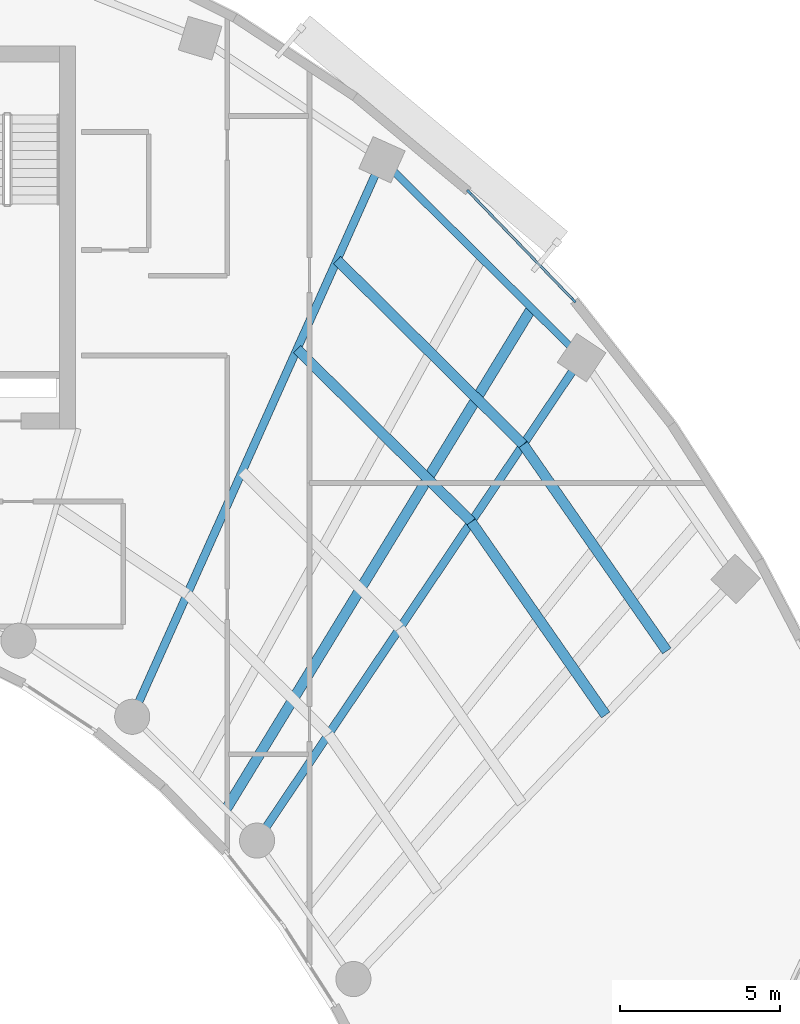
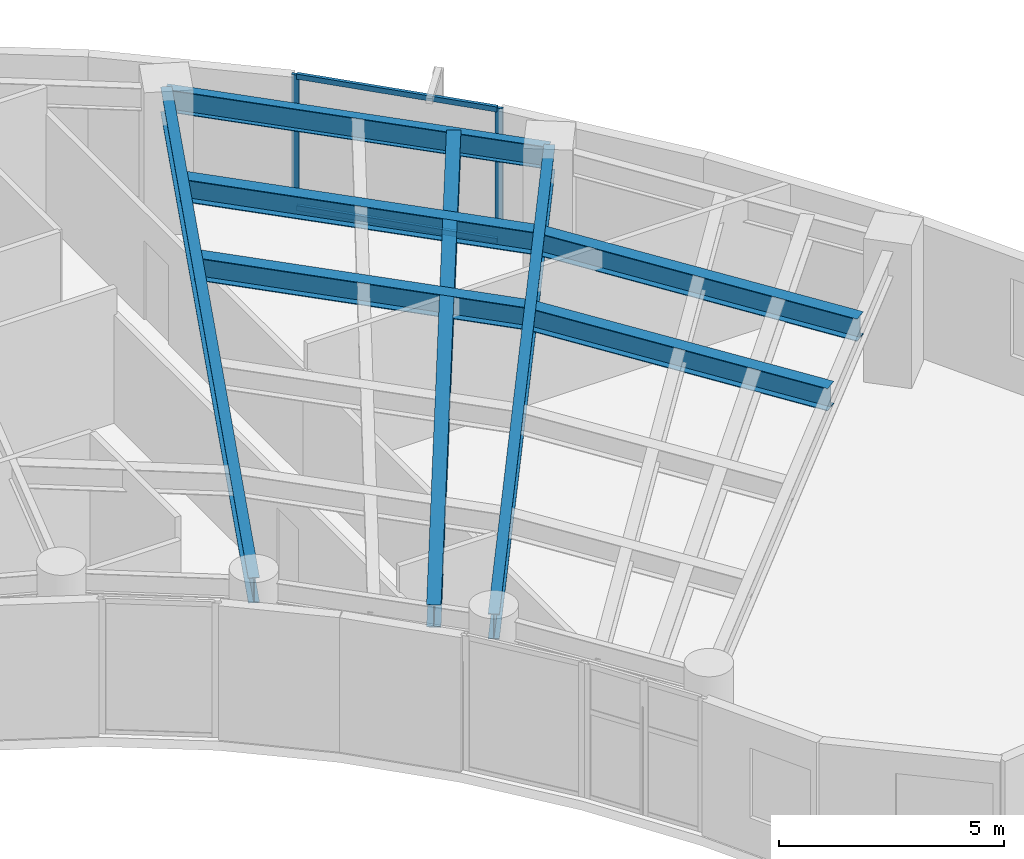
# One storey, part 4 of 13: 8 beams, 4 members, 1 element without a shape of its own.
"""IFC4 building model written with IfcOpenShell, lengths in metres."""

from ifc_helpers import new_model, si_unit, direction, frame, origin, origin_2d, place, context, subcontext, project, spatial, rectangle, i_section, extrude, source, transform, mapped, material, layer, layer_set, material_profile, profile_set, type_object, element, aggregate, save


model = new_model("IFC4")

# Units and contexts
model_context = context("Model", 3, precision=1e-05, world=origin(), true_north=direction((0.0, 1.0)))
body_context = subcontext(model_context, "Body", "Model", "MODEL_VIEW")
ifc_project = project(units=[si_unit("LENGTHUNIT", "METRE"), si_unit("AREAUNIT", "SQUARE_METRE"), si_unit("VOLUMEUNIT", "CUBIC_METRE"), si_unit("PLANEANGLEUNIT", "RADIAN"), si_unit("MASSUNIT", "GRAM", prefix="KILO")], contexts=[model_context])

# Site, building, storey
site_placement = place(None, origin())
site = spatial("IfcSite", under=ifc_project, at=site_placement, CompositionType="ELEMENT")
building_placement = place(site_placement, origin())
building = spatial("IfcBuilding", under=site, at=building_placement, Name="Breltana Convention Tower", CompositionType="ELEMENT")
storey_placement = place(building_placement, frame((0.0, 0.0, 146.699951171875)))
storey = spatial("IfcBuildingStorey", under=building, at=storey_placement, Name="L35", CompositionType="ELEMENT", Elevation=146.699951171875)

# Beams
ifc_material_1 = material(Name="Steel ASTM A992 Grade 50", Category="steel")
ifc_material_profile_1 = material_profile(ifc_material_1, i_section(OverallWidth=0.25390625, OverallDepth=0.68798828125, WebThickness=0.01318359375, FlangeThickness=0.02099609375, at=origin_2d()), Name="W27X102")
ifc_profile_set_1 = profile_set([ifc_material_profile_1], Name="Steel ASTM A992 Grade 50")
beam_type_1 = type_object("IfcBeamType", Name="BM-RG-W27X102", PredefinedType="USERDEFINED", material=ifc_profile_set_1)
shared_shape_1 = source(origin(), body_context, "Body", "SweptSolid", [
    extrude(i_section(OverallWidth=0.25390625, OverallDepth=0.68798828125, WebThickness=0.01318359375, FlangeThickness=0.02099609375, at=origin_2d()), origin(), (0.0, 0.0, 1.0), 19.133544921875),
])
beam_1_placement = place(storey_placement, frame((61.08203125, 51.174560546875, 3.30615234375), z_axis=(0.409144564164, 0.912469575172, 0.0), x_axis=(-0.912469575172, 0.409144564164, 0.0)))
element("IfcBeam", 1, at=beam_1_placement, inside=storey, type_object=beam_type_1, Name="L35 Radial Floor Girder R09", ObjectType="GIRDER", PredefinedType="USERDEFINED", context=body_context, shape_type="MappedRepresentation", body=[
    mapped(shared_shape_1, transform((0.0, 0.0, 0.0), scale=1.0)),
])
shared_shape_2 = source(origin(), body_context, "Body", "SweptSolid", [
    extrude(i_section(OverallWidth=0.25390625, OverallDepth=0.68798828125, WebThickness=0.01318359375, FlangeThickness=0.02099609375, at=origin_2d()), origin(), (0.0, 0.0, 1.0), 18.236328125),
])
beam_2_placement = place(storey_placement, frame((64.995849609375, 47.293701171875, 3.30615234375), z_axis=(0.557730360975, 0.830022195153, 0.0), x_axis=(-0.830022195153, 0.557730360975, 0.0)))
element("IfcBeam", 2, at=beam_2_placement, inside=storey, type_object=beam_type_1, Name="L35 Radial Floor Girder R10", ObjectType="GIRDER", PredefinedType="USERDEFINED", context=body_context, shape_type="MappedRepresentation", body=[
    mapped(shared_shape_2, transform((0.0, 0.0, 0.0), scale=1.0)),
])
ifc_material_profile_2 = material_profile(ifc_material_1, i_section(OverallWidth=0.22802734375, OverallDepth=0.60791015625, WebThickness=0.01123046875, FlangeThickness=0.017333984375, at=origin_2d()), Name="W24X76")
ifc_profile_set_2 = profile_set([ifc_material_profile_2], Name="Steel ASTM A992 Grade 50")
beam_type_2 = type_object("IfcBeamType", Name="BM-SP-W24X76", PredefinedType="SPANDREL", material=ifc_profile_set_2)
shared_shape_3 = source(origin(), body_context, "Body", "SweptSolid", [
    extrude(i_section(OverallWidth=0.22802734375, OverallDepth=0.60791015625, WebThickness=0.01123046875, FlangeThickness=0.017333984375, at=origin_2d()), origin(), (0.0, 0.0, 1.0), 8.810302734375),
])
beam_3_placement = place(storey_placement, frame((68.910400390625, 68.63330078125, 3.345947265625), z_axis=(0.710120823582, -0.704079836322, 0.0), x_axis=(0.704079836322, 0.710120823582, 0.0)))
element("IfcBeam", 3, at=beam_3_placement, inside=storey, type_object=beam_type_2, Name="L35 Outer Spandrel Beam 09", PredefinedType="SPANDREL", context=body_context, shape_type="MappedRepresentation", body=[
    mapped(shared_shape_3, transform((0.0, 0.0, 0.0), scale=1.0)),
])
ifc_material_profile_3 = material_profile(ifc_material_1, i_section(OverallWidth=0.323974609375, OverallDepth=0.611083984375, WebThickness=0.0126953125, FlangeThickness=0.01904296875, at=origin_2d()), Name="W24X104")
ifc_profile_set_3 = profile_set([ifc_material_profile_3], Name="Steel ASTM A992 Grade 50")
beam_type_3 = type_object("IfcBeamType", Name="BM-JSG-01", PredefinedType="JOIST", material=ifc_profile_set_3)
shared_shape_4 = source(origin(), body_context, "Body", "SweptSolid", [
    extrude(i_section(OverallWidth=0.323974609375, OverallDepth=0.611083984375, WebThickness=0.0126953125, FlangeThickness=0.01904296875, at=origin_2d()), origin(), (0.0, 0.0, 1.0), 7.688720703125),
])
beam_4_placement = place(storey_placement, frame((66.248779296875, 62.697265625, 3.344482421875), z_axis=(0.710101109809, -0.704099718682, 0.0), x_axis=(0.704099718682, 0.710101109809, 0.0)))
element("IfcBeam", 4, at=beam_4_placement, inside=storey, type_object=beam_type_3, Name="L35 Composite Floor Joist 09.3", PredefinedType="JOIST", context=body_context, shape_type="MappedRepresentation", body=[
    mapped(shared_shape_4, transform((0.0, 0.0, 0.0), scale=1.0)),
])
shared_shape_5 = source(origin(), body_context, "Body", "SweptSolid", [
    extrude(i_section(OverallWidth=0.323974609375, OverallDepth=0.611083984375, WebThickness=0.0126953125, FlangeThickness=0.01904296875, at=origin_2d()), origin(), (0.0, 0.0, 1.0), 8.21630859375),
])
beam_5_placement = place(storey_placement, frame((67.50146484375, 65.49072265625, 3.344482421875), z_axis=(0.710101511063, -0.704099314008, 0.0), x_axis=(0.704099314008, 0.710101511063, 0.0)))
element("IfcBeam", 5, at=beam_5_placement, inside=storey, type_object=beam_type_3, Name="L35 Composite Floor Joist 09.4", PredefinedType="JOIST", context=body_context, shape_type="MappedRepresentation", body=[
    mapped(shared_shape_5, transform((0.0, 0.0, 0.0), scale=1.0)),
])
shared_shape_6 = source(origin(), body_context, "Body", "SweptSolid", [
    extrude(i_section(OverallWidth=0.323974609375, OverallDepth=0.611083984375, WebThickness=0.0126953125, FlangeThickness=0.01904296875, at=origin_2d()), origin(), (0.0, 0.0, 1.0), 18.409423828125),
])
beam_6_placement = place(storey_placement, frame((64.017333984375, 48.263916015625, 3.344482421875), z_axis=(0.520682167606, 0.853750596098, 0.0), x_axis=(-0.853750596098, 0.520682167606, 0.0)))
element("IfcBeam", 6, at=beam_6_placement, inside=storey, type_object=beam_type_3, Name="L35 Quarter-Bay Radial Trimmer 09", PredefinedType="JOIST", context=body_context, shape_type="MappedRepresentation", body=[
    mapped(shared_shape_6, transform((0.0, 0.0, 0.0), scale=1.0)),
])
shared_shape_7 = source(origin(), body_context, "Body", "SweptSolid", [
    extrude(i_section(OverallWidth=0.323974609375, OverallDepth=0.611083984375, WebThickness=0.0126953125, FlangeThickness=0.01904296875, at=origin_2d()), origin(), (0.0, 0.0, 1.0), 7.374267578125),
])
beam_7_placement = place(storey_placement, frame((71.70849609375, 57.28369140625, 3.344482421875), z_axis=(0.571229379406, -0.820790470281, 0.0), x_axis=(0.820790470281, 0.571229379406, 0.0)))
element("IfcBeam", 7, at=beam_7_placement, inside=storey, type_object=beam_type_3, Name="L35 Composite Floor Joist 10.3", PredefinedType="JOIST", context=body_context, shape_type="MappedRepresentation", body=[
    mapped(shared_shape_7, transform((0.0, 0.0, 0.0), scale=1.0)),
])
shared_shape_8 = source(origin(), body_context, "Body", "SweptSolid", [
    extrude(i_section(OverallWidth=0.323974609375, OverallDepth=0.611083984375, WebThickness=0.0126953125, FlangeThickness=0.01904296875, at=origin_2d()), origin(), (0.0, 0.0, 1.0), 7.88037109375),
])
beam_8_placement = place(storey_placement, frame((73.3359375, 59.70556640625, 3.344482421875), z_axis=(0.571197916304, -0.820812366141, 0.0), x_axis=(0.820812366141, 0.571197916304, 0.0)))
element("IfcBeam", 8, at=beam_8_placement, inside=storey, type_object=beam_type_3, Name="L35 Composite Floor Joist 10.4", PredefinedType="JOIST", context=body_context, shape_type="MappedRepresentation", body=[
    mapped(shared_shape_8, transform((0.0, 0.0, 0.0), scale=1.0)),
])

# Curtain wall, members
ifc_material_2 = material(Name="Aluminium Anodised Bronze Frame", Category="aluminium")
ifc_layer = layer(ifc_material_2, 0.2099609375, Name="Aluminium Anodised Bronze Frame")
ifc_layer_set = layer_set([ifc_layer], Name="Aluminium Anodised Bronze Frame")
curtain_wall_type = type_object("IfcCurtainWallType", Name="CW-SYS-3", PredefinedType="NOTDEFINED", material=ifc_layer_set)
curtain_wall_placement = place(storey_placement, origin())
curtain_wall = element("IfcCurtainWall", 9, at=curtain_wall_placement, inside=storey, type_object=curtain_wall_type, Name="L35 outer double-skin inner glazing 4", PredefinedType="NOTDEFINED")
ifc_material_3 = material(Name="Aluminium Anodised Bronze", Category="aluminium")
ifc_material_profile_4 = material_profile(ifc_material_3, rectangle(XDim=0.070068359375, YDim=0.175048828125, at=origin_2d()), Name="CWM-70X175")
ifc_profile_set_4 = profile_set([ifc_material_profile_4], Name="Aluminium Anodised Bronze")
member_type_1 = type_object("IfcMemberType", Name="CWM-175", PredefinedType="MULLION", material=ifc_profile_set_4)
shared_shape_9 = source(origin(), body_context, "Body", "SweptSolid", [
    extrude(rectangle(XDim=0.070068359375, YDim=0.175048828125, at=origin_2d()), origin(), (0.0, 0.0, 1.0), 3.650146484375),
])
member_1_placement = place(storey_placement, frame((71.643310546875, 67.616943359375, 0.0), z_axis=(0.0, 0.0, 1.0), x_axis=(0.719393523398, 0.694602734297, 0.0)))
member_1 = element("IfcMember", 10, at=member_1_placement, type_object=member_type_1, Name="CW-03 mullion 1", PredefinedType="MULLION", context=body_context, shape_type="MappedRepresentation", body=[
    mapped(shared_shape_9, transform((0.0, 0.0, 0.0), scale=1.0)),
])
member_2_placement = place(storey_placement, frame((74.912109375, 64.2314453125, 0.0), z_axis=(0.0, 0.0, 1.0), x_axis=(0.719393523398, 0.694602734297, 0.0)))
member_2 = element("IfcMember", 11, at=member_2_placement, type_object=member_type_1, Name="CW-03 mullion 2", PredefinedType="MULLION", context=body_context, shape_type="MappedRepresentation", body=[
    mapped(shared_shape_9, transform((0.0, 0.0, 0.0), scale=1.0)),
])
ifc_material_profile_5 = material_profile(ifc_material_3, rectangle(XDim=0.080078125, YDim=0.139892578125, at=origin_2d()), Name="CWT-80X140")
ifc_profile_set_5 = profile_set([ifc_material_profile_5], Name="Aluminium Anodised Bronze")
member_type_2 = type_object("IfcMemberType", Name="CWT-140", PredefinedType="USERDEFINED", material=ifc_profile_set_5)
shared_shape_10 = source(origin(), body_context, "Body", "SweptSolid", [
    extrude(rectangle(XDim=0.080078125, YDim=0.139892578125, at=origin_2d()), origin(), (0.0, 0.0, 1.0), 4.635986328125),
])
member_3_placement = place(storey_placement, frame((71.667724609375, 67.591796875, 0.0400390625), z_axis=(0.694569137919, -0.719425960506, 0.0), x_axis=(0.719425960506, 0.694569137919, 0.0)))
member_3 = element("IfcMember", 12, at=member_3_placement, type_object=member_type_2, Name="CW-03 transom 1.1", ObjectType="TRANSOM", PredefinedType="USERDEFINED", context=body_context, shape_type="MappedRepresentation", body=[
    mapped(shared_shape_10, transform((0.0, 0.0, 0.0), scale=1.0)),
])
member_4_placement = place(storey_placement, frame((71.667724609375, 67.591796875, 3.610107421875), z_axis=(0.694569137919, -0.719425960506, 0.0), x_axis=(0.719425960506, 0.694569137919, 0.0)))
member_4 = element("IfcMember", 13, at=member_4_placement, type_object=member_type_2, Name="CW-03 transom 1.2", ObjectType="TRANSOM", PredefinedType="USERDEFINED", context=body_context, shape_type="MappedRepresentation", body=[
    mapped(shared_shape_10, transform((0.0, 0.0, 0.0), scale=1.0)),
])
aggregate(curtain_wall, [member_1, member_2, member_3, member_4])

save(model, "model.ifc")
